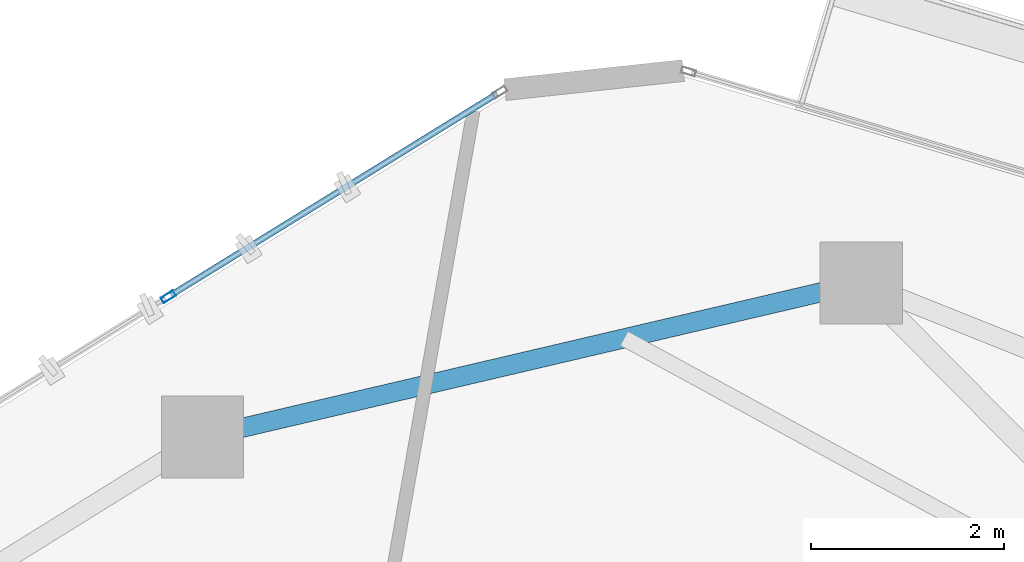
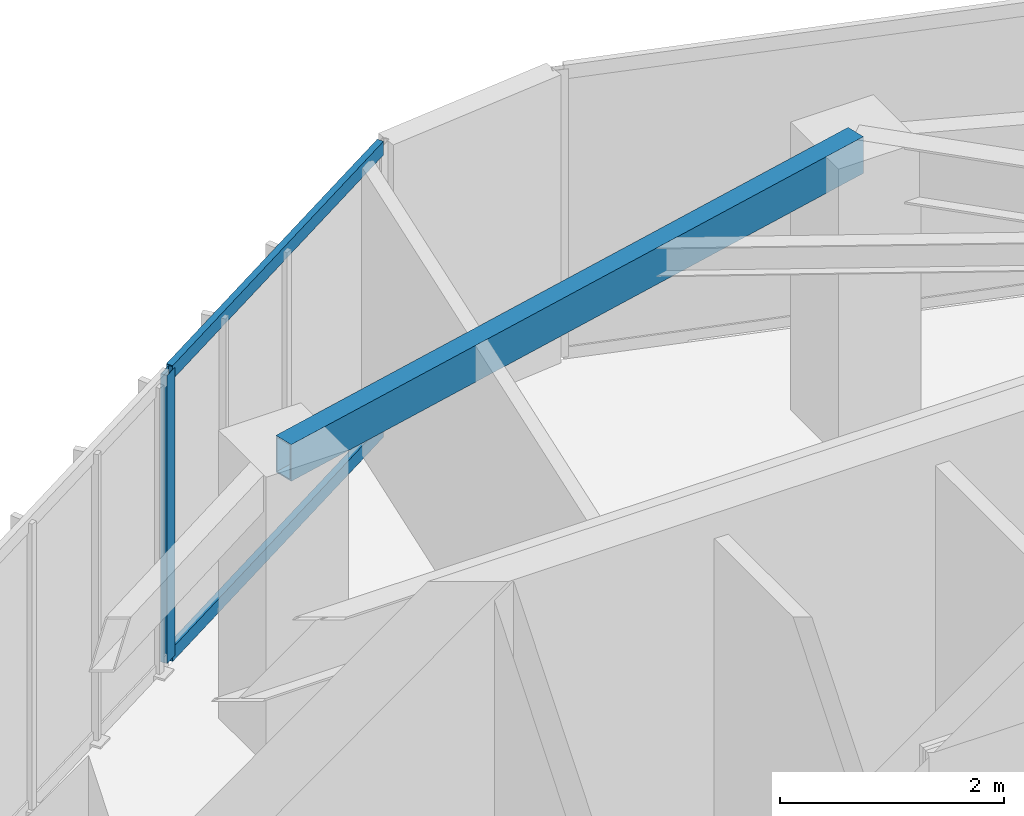
# One storey, part 11 of 20: 3 members, 1 beam, 1 element without a shape of its own.
"""IFC4 building model written with IfcOpenShell, lengths in metres."""

from ifc_helpers import new_model, si_unit, direction, frame, origin, origin_2d, place, context, subcontext, project, spatial, hollow_rectangle, extrude, source, transform, mapped, material, layer, layer_set, material_profile, profile_set, type_object, type_shapes, element, aggregate, save


model = new_model("IFC4")

# Units and contexts
model_context = context("Model", 3, precision=1e-05, world=origin(), true_north=direction((0.0, 1.0)))
body_context = subcontext(model_context, "Body", "Model", "MODEL_VIEW")
ifc_project = project(units=[si_unit("LENGTHUNIT", "METRE"), si_unit("AREAUNIT", "SQUARE_METRE"), si_unit("VOLUMEUNIT", "CUBIC_METRE"), si_unit("PLANEANGLEUNIT", "RADIAN"), si_unit("MASSUNIT", "GRAM", prefix="KILO")], contexts=[model_context])

# Site, building, storey
site_placement = place(None, origin())
site = spatial("IfcSite", under=ifc_project, at=site_placement, CompositionType="ELEMENT")
building_placement = place(site_placement, origin())
building = spatial("IfcBuilding", under=site, at=building_placement, Name="Talar Marvaseh", CompositionType="ELEMENT")
storey_placement = place(building_placement, frame((0.0, 0.0, 251.0)))
storey = spatial("IfcBuildingStorey", under=building, at=storey_placement, Name="L66", CompositionType="ELEMENT", Elevation=251.0)

# Beam
ifc_material_1 = material(Name="Steel S355", Category="steel")
ifc_material_profile_1 = material_profile(ifc_material_1, hollow_rectangle(XDim=0.199951171875, YDim=0.39990234375, WallThickness=0.013916015625, at=origin_2d()), Name="RHS400x200x14")
ifc_profile_set_1 = profile_set([ifc_material_profile_1], Name="Steel S355")
beam_type = type_object("IfcBeamType", Name="Zone 3 Perimeter Spandrel Beam RHS400x200x14", PredefinedType="SPANDREL", material=ifc_profile_set_1)
beam_placement = place(storey_placement, frame((22.364990234375, 39.4541015625, 2.93994140625), z_axis=(0.973655602276, 0.228023613157, 0.0), x_axis=(-0.228023613157, 0.973655602276, 0.0)))
element("IfcBeam", 1, at=beam_placement, inside=storey, type_object=beam_type, Name="L66 Zone 3 Perimeter Spandrel Beam RHS400x200x14", PredefinedType="SPANDREL", context=body_context, shape_type="SweptSolid", body=[
    extrude(hollow_rectangle(XDim=0.199951171875, YDim=0.39990234375, WallThickness=0.013916015625, at=origin_2d()), origin(), (0.0, 0.0, 1.0), 7.007568359375),
])

# Curtain wall, members
ifc_material_2 = material(Name="Architectural Aluminium", Category="aluminium")
ifc_layer = layer(ifc_material_2, 0.179931640625)
ifc_layer_set = layer_set([ifc_layer], Name="Architectural Aluminium")
curtain_wall_type = type_object("IfcCurtainWallType", Name="Unitised High-Wind Sky Curtain Wall Z4", PredefinedType="NOTDEFINED", material=ifc_layer_set)
curtain_wall_placement = place(storey_placement, origin())
curtain_wall = element("IfcCurtainWall", 2, at=curtain_wall_placement, inside=storey, type_object=curtain_wall_type, Name="L66 Unitised High-Wind Sky Curtain Wall Z4", PredefinedType="NOTDEFINED")
ifc_material_profile_2 = material_profile(ifc_material_2, hollow_rectangle(XDim=0.06494140625, YDim=0.14990234375, WallThickness=0.00390625, at=origin_2d()), Name="RHS150x65x4")
ifc_profile_set_2 = profile_set([ifc_material_profile_2], Name="Architectural Aluminium")
member_type_1 = type_object("IfcMemberType", Name="Unitised Curtain Wall Slim Mullion RHS150x65x4", PredefinedType="MULLION", material=ifc_profile_set_2)
shared_shape_1 = source(origin(), body_context, "Body", "SweptSolid", [
    extrude(hollow_rectangle(XDim=0.06494140625, YDim=0.14990234375, WallThickness=0.00390625, at=origin_2d()), origin(), (0.0, 0.0, 1.0), 3.139892578125),
])
type_shapes(member_type_1, [shared_shape_1])
member_1_placement = place(storey_placement, frame((22.010986328125, 40.907958984375, 0.0), z_axis=(0.0, 0.0, 1.0), x_axis=(-0.52520226259, 0.850977428238, 0.0)))
member_1 = element("IfcMember", 3, at=member_1_placement, type_object=member_type_1, Name="CW-Z4 mullion 3", PredefinedType="MULLION", context=body_context, shape_type="MappedRepresentation", body=[
    mapped(shared_shape_1, transform((0.0, 0.0, 0.0), x_axis=(1.0, 0.0, 0.0), y_axis=(0.0, 1.0, 0.0), z_axis=(0.0, 0.0, 1.0), scale=1.0)),
])
ifc_material_profile_3 = material_profile(ifc_material_2, hollow_rectangle(XDim=0.06494140625, YDim=0.14990234375, WallThickness=0.00390625, at=origin_2d()), Name="RHS150x65x4")
ifc_profile_set_3 = profile_set([ifc_material_profile_3], Name="Architectural Aluminium")
member_type_2 = type_object("IfcMemberType", Name="Unitised Curtain Wall Slim Transom RHS150x65x4", PredefinedType="USERDEFINED", material=ifc_profile_set_3)
shared_shape_2 = source(origin(), body_context, "Body", "SweptSolid", [
    extrude(hollow_rectangle(XDim=0.06494140625, YDim=0.14990234375, WallThickness=0.00390625, at=origin_2d()), origin(), (0.0, 0.0, 1.0), 3.97119140625),
])
type_shapes(member_type_2, [shared_shape_2])
member_2_placement = place(storey_placement, frame((22.03857421875, 40.925048828125, 0.032470703125), z_axis=(0.850975799268, 0.525204901976, 0.0), x_axis=(-0.525204901976, 0.850975799268, 0.0)))
member_2 = element("IfcMember", 4, at=member_2_placement, type_object=member_type_2, Name="CW-Z4 transom 3.1", ObjectType="TRANSOM", PredefinedType="USERDEFINED", context=body_context, shape_type="MappedRepresentation", body=[
    mapped(shared_shape_2, transform((0.0, 0.0, 0.0), x_axis=(1.0, 0.0, 0.0), y_axis=(0.0, 1.0, 0.0), z_axis=(0.0, 0.0, 1.0), scale=1.0)),
])
member_3_placement = place(storey_placement, frame((22.03857421875, 40.925048828125, 3.107421875), z_axis=(0.850975799268, 0.525204901976, 0.0), x_axis=(-0.525204901976, 0.850975799268, 0.0)))
member_3 = element("IfcMember", 5, at=member_3_placement, type_object=member_type_2, Name="CW-Z4 transom 3.2", ObjectType="TRANSOM", PredefinedType="USERDEFINED", context=body_context, shape_type="MappedRepresentation", body=[
    mapped(shared_shape_2, transform((0.0, 0.0, 0.0), x_axis=(1.0, 0.0, 0.0), y_axis=(0.0, 1.0, 0.0), z_axis=(0.0, 0.0, 1.0), scale=1.0)),
])
aggregate(curtain_wall, [member_1, member_2, member_3])

save(model, "model.ifc")
